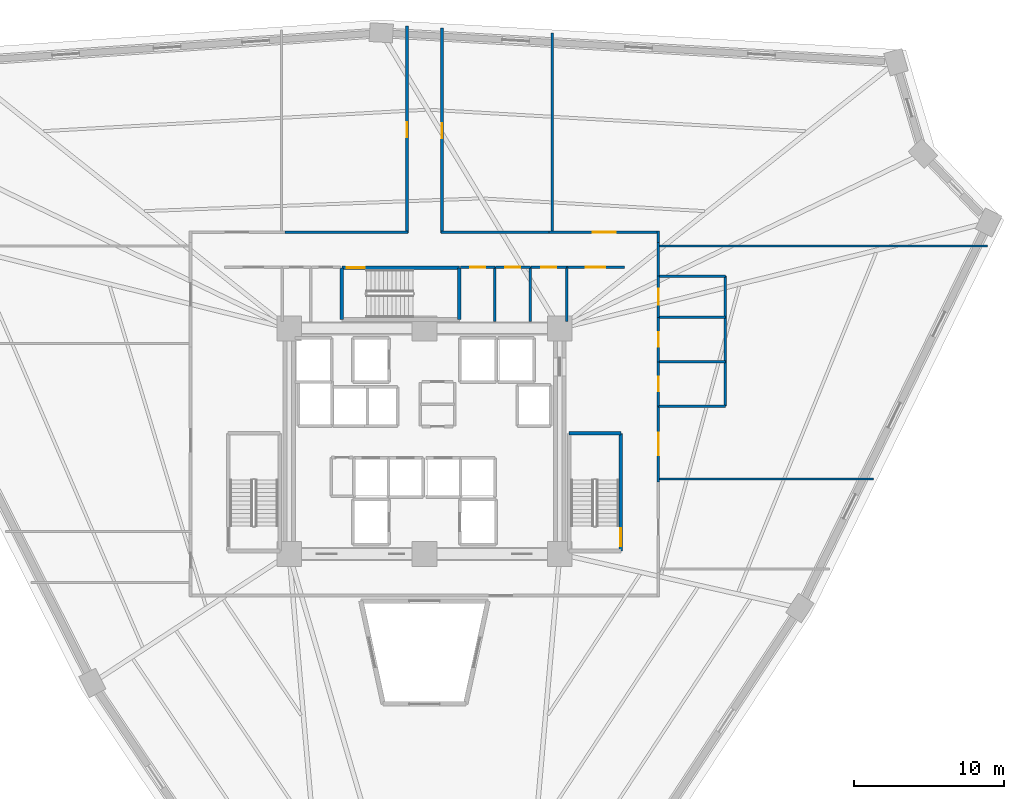
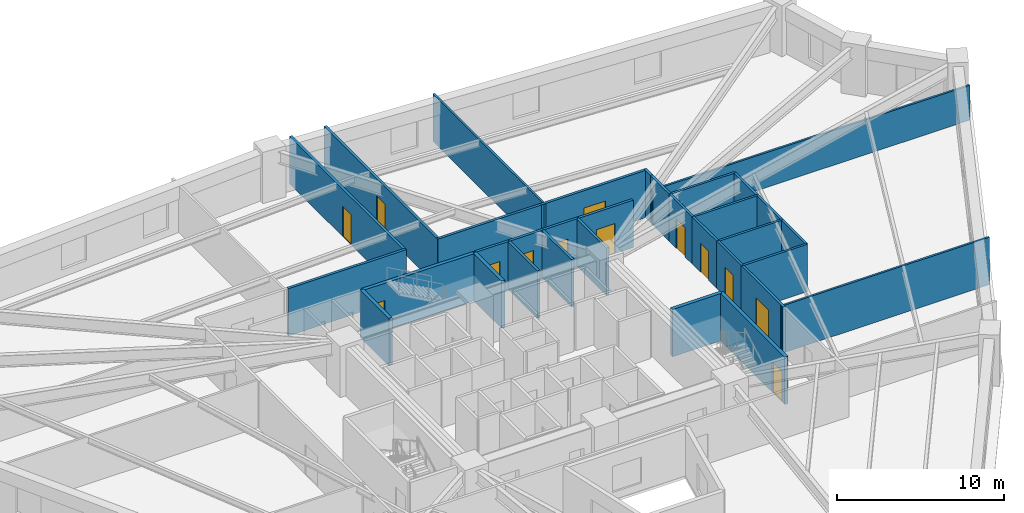
# One storey, part 6 of 8: 31 walls, 13 doors, 13 openings.
"""IFC4 building model written with IfcOpenShell, lengths in metres."""

from ifc_helpers import new_model, si_unit, direction, frame, frame_2d, origin, place, context, subcontext, project, spatial, rectangle, extrude, source, transform, mapped, material, layer, layer_set, type_object, element, fill, save


model = new_model("IFC4")

# Units and contexts
model_context = context("Model", 3, precision=1e-05, world=origin(), true_north=direction((0.0, 1.0)))
body_context = subcontext(model_context, "Body", "Model", "MODEL_VIEW")
ifc_project = project(units=[si_unit("LENGTHUNIT", "METRE"), si_unit("AREAUNIT", "SQUARE_METRE"), si_unit("VOLUMEUNIT", "CUBIC_METRE"), si_unit("PLANEANGLEUNIT", "RADIAN"), si_unit("MASSUNIT", "GRAM", prefix="KILO")], contexts=[model_context])

# Site, building, storey
site_placement = place(None, origin())
site = spatial("IfcSite", under=ifc_project, at=site_placement, CompositionType="ELEMENT")
building_placement = place(site_placement, origin())
building = spatial("IfcBuilding", under=site, at=building_placement, Name="Liaohun Quay Tower", CompositionType="ELEMENT")
storey_placement = place(building_placement, frame((0.0, 0.0, 89.25)))
storey = spatial("IfcBuildingStorey", under=building, at=storey_placement, Name="L23", CompositionType="ELEMENT", Elevation=89.25)

# Wall, opening, door
ifc_material_1 = material(Name="Autoclaved aerated concrete blockwork", Category="masonry")
ifc_layer_1 = layer(ifc_material_1, 0.179931640625, Name="Autoclaved aerated concrete blockwork", Category="masonry")
ifc_layer_set_1 = layer_set([ifc_layer_1], Name="Autoclaved aerated concrete blockwork")
wall_type_1 = type_object("IfcWallType", Name="WAL-PRT-COR", PredefinedType="PARTITIONING", material=ifc_layer_set_1)
wall_1_placement = place(storey_placement, frame((62.389892578125, 65.580078125, 0.0), z_axis=(0.0, 0.0, 1.0), x_axis=(1.0, 0.0, 0.0)))
wall_1 = element("IfcWall", 1, at=wall_1_placement, inside=storey, type_object=wall_type_1, Name="L23 Interior Partition Wall 009", PredefinedType="PARTITIONING", context=body_context, shape_type="SweptSolid", body=[
    extrude(rectangle(XDim=2.2900390625, YDim=0.179931640625, at=frame_2d((1.14501953125, 0.0))), origin(), (0.0, 0.0, 1.0), 3.469970703125),
])
shared_shape_1 = source(origin(), body_context, "Body", "SweptSolid", [
    extrude(rectangle(XDim=1.0, YDim=2.199951171875, at=frame_2d((0.5, 1.10009765625))), frame((0.0, 0.099853515625, 0.0), z_axis=(0.0, -1.0, 0.0), x_axis=(1.0, 0.0, 0.0)), (0.0, 0.0, 1.0), 0.199951171875),
])
opening_1_placement = place(wall_1_placement, frame((0.64501953125, 0.0, 0.0)))
opening_1 = element("IfcOpeningElement", 2, at=opening_1_placement, cuts=wall_1, Name="Opening OD1", PredefinedType="OPENING", context=body_context, shape_type="MappedRepresentation", body=[
    mapped(shared_shape_1, transform((0.0, 0.0, 0.0), x_axis=(1.0, 0.0, 0.0), y_axis=(0.0, 1.0, 0.0), z_axis=(0.0, 0.0, 1.0), scale=1.0)),
])
ifc_material_2 = material(Name="Solid-core oak veneer timber leaf in steel frame", Category="steel")
door_type_1 = type_object("IfcDoorType", Name="DOR-OFF-1000", OperationType="NOTDEFINED", PredefinedType="DOOR", material=ifc_material_2)
shared_shape_2 = source(origin(), body_context, "Body", "SweptSolid", [
    extrude(rectangle(XDim=1.0, YDim=2.199951171875, at=frame_2d((0.5, 1.10009765625))), frame((0.0, 0.02490234375, 0.0), z_axis=(0.0, -1.0, 0.0), x_axis=(1.0, 0.0, 0.0)), (0.0, 0.0, 1.0), 0.050048828125),
])
door_1_placement = place(opening_1_placement, origin())
door_1 = element("IfcDoor", 3, at=door_1_placement, inside=storey, type_object=door_type_1, Name="L23 North-East Mail Store Door", OperationType="SINGLE_SWING_RIGHT", OverallHeight=2.199951171875, OverallWidth=1.0, PredefinedType="DOOR", context=body_context, shape_type="MappedRepresentation", body=[
    mapped(shared_shape_2, transform((0.0, 0.0, 0.0), x_axis=(1.0, 0.0, 0.0), y_axis=(0.0, 1.0, 0.0), z_axis=(0.0, 0.0, 1.0), scale=1.0)),
])
fill(opening_1, door_1)

wall_2_placement = place(storey_placement, frame((64.719970703125, 65.580078125, 0.0), z_axis=(0.0, 0.0, 1.0), x_axis=(1.0, 0.0, 0.0)))
wall_2 = element("IfcWall", 4, at=wall_2_placement, inside=storey, type_object=wall_type_1, Name="L23 Interior Partition Wall 010", PredefinedType="PARTITIONING", context=body_context, shape_type="SweptSolid", body=[
    extrude(rectangle(XDim=2.320068359375, YDim=0.179931640625, at=frame_2d((1.16015625, 0.0))), origin(), (0.0, 0.0, 1.0), 3.469970703125),
])
opening_2_placement = place(wall_2_placement, frame((0.659912109375, 0.0, 0.0)))
opening_2 = element("IfcOpeningElement", 5, at=opening_2_placement, cuts=wall_2, Name="Opening OD1", PredefinedType="OPENING", context=body_context, shape_type="MappedRepresentation", body=[
    mapped(shared_shape_1, transform((0.0, 0.0, 0.0), x_axis=(1.0, 0.0, 0.0), y_axis=(0.0, 1.0, 0.0), z_axis=(0.0, 0.0, 1.0), scale=1.0)),
])
door_2_placement = place(opening_2_placement, origin())
door_2 = element("IfcDoor", 6, at=door_2_placement, inside=storey, type_object=door_type_1, Name="L23 North-East Comms Room Door", OperationType="SINGLE_SWING_LEFT", OverallHeight=2.199951171875, OverallWidth=1.0, PredefinedType="DOOR", context=body_context, shape_type="MappedRepresentation", body=[
    mapped(shared_shape_2, transform((0.0, 0.0, 0.0), x_axis=(1.0, 0.0, 0.0), y_axis=(0.0, 1.0, 0.0), z_axis=(0.0, 0.0, 1.0), scale=1.0)),
])
fill(opening_2, door_2)

wall_3_placement = place(storey_placement, frame((67.080078125, 65.580078125, 0.0), z_axis=(0.0, 0.0, 1.0), x_axis=(1.0, 0.0, 0.0)))
wall_3 = element("IfcWall", 7, at=wall_3_placement, inside=storey, type_object=wall_type_1, Name="L23 Interior Partition Wall 011", PredefinedType="PARTITIONING", context=body_context, shape_type="SweptSolid", body=[
    extrude(rectangle(XDim=2.3798828125, YDim=0.179931640625, at=frame_2d((1.18994140625, 0.0))), origin(), (0.0, 0.0, 1.0), 3.469970703125),
])
opening_3_placement = place(wall_3_placement, frame((0.68994140625, 0.0, 0.0)))
opening_3 = element("IfcOpeningElement", 8, at=opening_3_placement, cuts=wall_3, Name="Opening OD1", PredefinedType="OPENING", context=body_context, shape_type="MappedRepresentation", body=[
    mapped(shared_shape_1, transform((0.0, 0.0, 0.0), x_axis=(1.0, 0.0, 0.0), y_axis=(0.0, 1.0, 0.0), z_axis=(0.0, 0.0, 1.0), scale=1.0)),
])
door_3_placement = place(opening_3_placement, origin())
door_3 = element("IfcDoor", 9, at=door_3_placement, inside=storey, type_object=door_type_1, Name="L23 North-East Cleaner Store Door", OperationType="SINGLE_SWING_RIGHT", OverallHeight=2.199951171875, OverallWidth=1.0, PredefinedType="DOOR", context=body_context, shape_type="MappedRepresentation", body=[
    mapped(shared_shape_2, transform((0.0, 0.0, 0.0), x_axis=(1.0, 0.0, 0.0), y_axis=(0.0, 1.0, 0.0), z_axis=(0.0, 0.0, 1.0), scale=1.0)),
])
fill(opening_3, door_3)

wall_4_placement = place(storey_placement, frame((69.4599609375, 65.580078125, 0.0), z_axis=(0.0, 0.0, 1.0), x_axis=(1.0, 0.0, 0.0)))
wall_4 = element("IfcWall", 10, at=wall_4_placement, inside=storey, type_object=wall_type_1, Name="L23 Interior Partition Wall 013", PredefinedType="PARTITIONING", context=body_context, shape_type="SweptSolid", body=[
    extrude(rectangle(XDim=3.840087890625, YDim=0.179931640625, at=frame_2d((1.919921875, 0.0))), origin(), (0.0, 0.0, 1.0), 3.469970703125),
])
shared_shape_3 = source(origin(), body_context, "Body", "SweptSolid", [
    extrude(rectangle(XDim=1.300048828125, YDim=2.199951171875, at=frame_2d((0.64990234375, 1.10009765625))), frame((0.0, 0.099853515625, 0.0), z_axis=(0.0, -1.0, 0.0), x_axis=(1.0, 0.0, 0.0)), (0.0, 0.0, 1.0), 0.199951171875),
])
opening_4_placement = place(wall_4_placement, frame((1.27001953125, 0.0, 0.0)))
opening_4 = element("IfcOpeningElement", 11, at=opening_4_placement, cuts=wall_4, Name="Opening FD1", PredefinedType="OPENING", context=body_context, shape_type="MappedRepresentation", body=[
    mapped(shared_shape_3, transform((0.0, 0.0, 0.0), x_axis=(1.0, 0.0, 0.0), y_axis=(0.0, 1.0, 0.0), z_axis=(0.0, 0.0, 1.0), scale=1.0)),
])
ifc_material_3 = material(Name="Galvanised steel smokeproof fire door", Category="steel")
door_type_2 = type_object("IfcDoorType", Name="DOR-FFL-1300", OperationType="NOTDEFINED", PredefinedType="DOOR", material=ifc_material_3)
shared_shape_4 = source(origin(), body_context, "Body", "SweptSolid", [
    extrude(rectangle(XDim=1.300048828125, YDim=2.199951171875, at=frame_2d((0.64990234375, 1.10009765625))), frame((0.0, 0.02490234375, 0.0), z_axis=(0.0, -1.0, 0.0), x_axis=(1.0, 0.0, 0.0)), (0.0, 0.0, 1.0), 0.050048828125),
])
door_4_placement = place(opening_4_placement, origin())
door_4 = element("IfcDoor", 12, at=door_4_placement, inside=storey, type_object=door_type_2, Name="L23 East Core Vestibule Door", OperationType="SINGLE_SWING_RIGHT", OverallHeight=2.199951171875, OverallWidth=1.300048828125, PredefinedType="DOOR", context=body_context, shape_type="MappedRepresentation", body=[
    mapped(shared_shape_4, transform((0.0, 0.0, 0.0), x_axis=(1.0, 0.0, 0.0), y_axis=(0.0, 1.0, 0.0), z_axis=(0.0, 0.0, 1.0), scale=1.0)),
])
fill(opening_4, door_4)

wall_5_placement = place(storey_placement, frame((75.56005859375, 56.340087890625, 0.0), z_axis=(0.0, 0.0, 1.0), x_axis=(0.0, -1.0, 0.0)))
wall_5 = element("IfcWall", 13, at=wall_5_placement, inside=storey, type_object=wall_type_1, Name="L23 Interior Partition Wall 014", PredefinedType="PARTITIONING", context=body_context, shape_type="SweptSolid", body=[
    extrude(rectangle(XDim=5.05517578125, YDim=0.179931640625, at=frame_2d((2.527587890625, 0.0))), origin(), (0.0, 0.0, 1.0), 3.469970703125),
])
shared_shape_5 = source(origin(), body_context, "Body", "SweptSolid", [
    extrude(rectangle(XDim=1.5, YDim=2.199951171875, at=frame_2d((0.75, 1.10009765625))), frame((0.0, 0.099853515625, 0.0), z_axis=(0.0, -1.0, 0.0), x_axis=(1.0, 0.0, 0.0)), (0.0, 0.0, 1.0), 0.199951171875),
])
opening_5_placement = place(wall_5_placement, frame((1.778076171875, 0.0, 0.0)))
opening_5 = element("IfcOpeningElement", 14, at=opening_5_placement, cuts=wall_5, Name="Opening OD2", PredefinedType="OPENING", context=body_context, shape_type="MappedRepresentation", body=[
    mapped(shared_shape_5, transform((0.0, 0.0, 0.0), x_axis=(1.0, 0.0, 0.0), y_axis=(0.0, 1.0, 0.0), z_axis=(0.0, 0.0, 1.0), scale=1.0)),
])
ifc_material_4 = material(Name="Acoustic oak veneer double door")
door_type_3 = type_object("IfcDoorType", Name="DOR-OFF-1500", OperationType="DOUBLE_DOOR_SINGLE_SWING", PredefinedType="DOOR", material=ifc_material_4)
shared_shape_6 = source(origin(), body_context, "Body", "SweptSolid", [
    extrude(rectangle(XDim=1.5, YDim=2.199951171875, at=frame_2d((0.75, 1.10009765625))), frame((0.0, 0.02490234375, 0.0), z_axis=(0.0, -1.0, 0.0), x_axis=(1.0, 0.0, 0.0)), (0.0, 0.0, 1.0), 0.050048828125),
])
door_5_placement = place(opening_5_placement, origin())
door_5 = element("IfcDoor", 15, at=door_5_placement, inside=storey, type_object=door_type_3, Name="L23 Architectural Design Studio 01 Door", OperationType="DOUBLE_DOOR_SINGLE_SWING", OverallHeight=2.199951171875, OverallWidth=1.5, PredefinedType="DOOR", context=body_context, shape_type="MappedRepresentation", body=[
    mapped(shared_shape_6, transform((0.0, 0.0, 0.0), x_axis=(1.0, 0.0, 0.0), y_axis=(0.0, 1.0, 0.0), z_axis=(0.0, 0.0, 1.0), scale=1.0)),
])
fill(opening_5, door_5)

wall_6_placement = place(storey_placement, frame((68.284912109375, 67.909912109375, 0.0), z_axis=(0.0, 0.0, 1.0), x_axis=(1.0, 0.0, 0.0)))
wall_6 = element("IfcWall", 16, at=wall_6_placement, inside=storey, type_object=wall_type_1, Name="L23 Interior Partition Wall 015", PredefinedType="PARTITIONING", context=body_context, shape_type="SweptSolid", body=[
    extrude(rectangle(XDim=7.344970703125, YDim=0.179931640625, at=frame_2d((3.67236328125, 0.0))), origin(), (0.0, 0.0, 1.0), 3.469970703125),
])
opening_6_placement = place(wall_6_placement, frame((2.922119140625, 0.0, 0.0)))
opening_6 = element("IfcOpeningElement", 17, at=opening_6_placement, cuts=wall_6, Name="Opening OD2", PredefinedType="OPENING", context=body_context, shape_type="MappedRepresentation", body=[
    mapped(shared_shape_5, transform((0.0, 0.0, 0.0), x_axis=(1.0, 0.0, 0.0), y_axis=(0.0, 1.0, 0.0), z_axis=(0.0, 0.0, 1.0), scale=1.0)),
])
door_6_placement = place(opening_6_placement, origin())
door_6 = element("IfcDoor", 18, at=door_6_placement, inside=storey, type_object=door_type_3, Name="L23 Client Collaboration Lounge 02 Door", OperationType="DOUBLE_DOOR_SINGLE_SWING", OverallHeight=2.199951171875, OverallWidth=1.5, PredefinedType="DOOR", context=body_context, shape_type="MappedRepresentation", body=[
    mapped(shared_shape_6, transform((0.0, 0.0, 0.0), x_axis=(1.0, 0.0, 0.0), y_axis=(0.0, 1.0, 0.0), z_axis=(0.0, 0.0, 1.0), scale=1.0)),
])
fill(opening_6, door_6)

wall_7_placement = place(storey_placement, frame((61.159912109375, 81.47900390625, 0.0), z_axis=(0.0, 0.0, 1.0), x_axis=(0.0, -1.0, 0.0)))
wall_7 = element("IfcWall", 19, at=wall_7_placement, inside=storey, type_object=wall_type_1, Name="L23 Interior Partition Wall 016", PredefinedType="PARTITIONING", context=body_context, shape_type="SweptSolid", body=[
    extrude(rectangle(XDim=13.638916015625, YDim=0.179931640625, at=frame_2d((6.8193359375, 0.0))), origin(), (0.0, 0.0, 1.0), 3.469970703125),
])
opening_7_placement = place(wall_7_placement, frame((6.319091796875, 0.0, 0.0)))
opening_7 = element("IfcOpeningElement", 20, at=opening_7_placement, cuts=wall_7, Name="Opening OD1", PredefinedType="OPENING", context=body_context, shape_type="MappedRepresentation", body=[
    mapped(shared_shape_1, transform((0.0, 0.0, 0.0), x_axis=(1.0, 0.0, 0.0), y_axis=(0.0, 1.0, 0.0), z_axis=(0.0, 0.0, 1.0), scale=1.0)),
])
door_7_placement = place(opening_7_placement, origin())
door_7 = element("IfcDoor", 21, at=door_7_placement, inside=storey, type_object=door_type_1, Name="L23 Architectural Design Studio 03 Door", OperationType="SINGLE_SWING_LEFT", OverallHeight=2.199951171875, OverallWidth=1.0, PredefinedType="DOOR", context=body_context, shape_type="MappedRepresentation", body=[
    mapped(shared_shape_2, transform((0.0, 0.0, 0.0), x_axis=(1.0, 0.0, 0.0), y_axis=(0.0, 1.0, 0.0), z_axis=(0.0, 0.0, 1.0), scale=1.0)),
])
fill(opening_7, door_7)

wall_8_placement = place(storey_placement, frame((58.840087890625, 67.840087890625, 0.0), z_axis=(0.0, 0.0, 1.0), x_axis=(0.0, 1.0, 0.0)))
wall_8 = element("IfcWall", 22, at=wall_8_placement, inside=storey, type_object=wall_type_1, Name="L23 Interior Partition Wall 017", PredefinedType="PARTITIONING", context=body_context, shape_type="SweptSolid", body=[
    extrude(rectangle(XDim=13.77099609375, YDim=0.179931640625, at=frame_2d((6.885498046875, 0.0))), origin(), (0.0, 0.0, 1.0), 3.469970703125),
])
opening_8_placement = place(wall_8_placement, frame((6.385986328125, 0.0, 0.0)))
opening_8 = element("IfcOpeningElement", 23, at=opening_8_placement, cuts=wall_8, Name="Opening OD1", PredefinedType="OPENING", context=body_context, shape_type="MappedRepresentation", body=[
    mapped(shared_shape_1, transform((0.0, 0.0, 0.0), x_axis=(1.0, 0.0, 0.0), y_axis=(0.0, 1.0, 0.0), z_axis=(0.0, 0.0, 1.0), scale=1.0)),
])
door_8_placement = place(opening_8_placement, origin())
door_8 = element("IfcDoor", 24, at=door_8_placement, inside=storey, type_object=door_type_1, Name="L23 Project Collaboration Studio 04 Door", OperationType="SINGLE_SWING_RIGHT", OverallHeight=2.199951171875, OverallWidth=1.0, PredefinedType="DOOR", context=body_context, shape_type="MappedRepresentation", body=[
    mapped(shared_shape_2, transform((0.0, 0.0, 0.0), x_axis=(1.0, 0.0, 0.0), y_axis=(0.0, 1.0, 0.0), z_axis=(0.0, 0.0, 1.0), scale=1.0)),
])
fill(opening_8, door_8)

# Walls
for number, where, z_axis, x_axis, name in (
    (25, (64.679931640625, 61.949951171875, 0.0), (0.0, 0.0, 1.0), (0.0, 1.0, 0.0), "L23 Interior Partition Wall 036"),
    (26, (67.0400390625, 61.949951171875, 0.0), (0.0, 0.0, 1.0), (0.0, 1.0, 0.0), "L23 Interior Partition Wall 037"),
    (27, (69.4599609375, 61.949951171875, 0.0), (0.0, 0.0, 1.0), (0.0, 1.0, 0.0), "L23 Interior Partition Wall 038"),
):
    element("IfcWall", number, at=place(storey_placement, frame(where, z_axis=z_axis, x_axis=x_axis)), inside=storey, type_object=wall_type_1, Name=name, PredefinedType="PARTITIONING", context=body_context, shape_type="SweptSolid", body=[
        extrude(rectangle(XDim=3.630126953125, YDim=0.179931640625, at=frame_2d((1.81494140625, 0.0))), origin(), (0.0, 0.0, 1.0), 3.469970703125),
    ])
wall_9_placement = place(storey_placement, frame((75.56005859375, 67.215087890625, 0.0), z_axis=(0.0, 0.0, 1.0), x_axis=(0.0, -1.0, 0.0)))
element("IfcWall", 28, at=wall_9_placement, inside=storey, type_object=wall_type_1, Name="L23 Interior Partition Wall 039", PredefinedType="PARTITIONING", context=body_context, shape_type="SweptSolid", body=[
    extrude(rectangle(XDim=2.235107421875, YDim=0.179931640625, at=frame_2d((1.11767578125, 0.0))), origin(), (0.0, 0.0, 1.0), 3.469970703125),
])
wall_10_placement = place(storey_placement, frame((75.56005859375, 67.97998046875, 0.0), z_axis=(0.0, 0.0, 1.0), x_axis=(0.0, -1.0, 0.0)))
element("IfcWall", 29, at=wall_10_placement, inside=storey, type_object=wall_type_1, Name="L23 Interior Partition Wall 040", PredefinedType="PARTITIONING", context=body_context, shape_type="SweptSolid", body=[
    extrude(rectangle(XDim=0.764892578125, YDim=0.179931640625, at=frame_2d((0.38232421875, 0.0))), origin(), (0.0, 0.0, 1.0), 3.469970703125),
])
wall_11_placement = place(storey_placement, frame((61.090087890625, 67.909912109375, 0.0), z_axis=(0.0, 0.0, 1.0), x_axis=(1.0, 0.0, 0.0)))
element("IfcWall", 30, at=wall_11_placement, inside=storey, type_object=wall_type_1, Name="L23 Interior Partition Wall 041", PredefinedType="PARTITIONING", context=body_context, shape_type="SweptSolid", body=[
    extrude(rectangle(XDim=7.19482421875, YDim=0.179931640625, at=frame_2d((3.597412109375, 0.0))), origin(), (0.0, 0.0, 1.0), 3.469970703125),
])
wall_12_placement = place(storey_placement, frame((50.715087890625, 67.909912109375, 0.0), z_axis=(0.0, 0.0, 1.0), x_axis=(1.0, 0.0, 0.0)))
element("IfcWall", 31, at=wall_12_placement, inside=storey, type_object=wall_type_1, Name="L23 Interior Partition Wall 042", PredefinedType="PARTITIONING", context=body_context, shape_type="SweptSolid", body=[
    extrude(rectangle(XDim=8.19482421875, YDim=0.179931640625, at=frame_2d((4.097412109375, 0.0))), origin(), (0.0, 0.0, 1.0), 3.469970703125),
])
ifc_material_5 = material(Name="Gypsum board on twin steel studs", Category="steel")
ifc_layer_2 = layer(ifc_material_5, 0.139892578125, Name="Gypsum board on twin steel studs", Category="steel")
ifc_layer_set_2 = layer_set([ifc_layer_2], Name="Gypsum board on twin steel studs")
wall_type_2 = type_object("IfcWallType", Name="WAL-PRT-OFF", PredefinedType="PARTITIONING", material=ifc_layer_set_2)
wall_13_placement = place(storey_placement, frame((75.4599609375, 51.5, 0.0), z_axis=(0.0, 0.0, 1.0), x_axis=(1.0, 0.0, 0.0)))
element("IfcWall", 32, at=wall_13_placement, inside=storey, type_object=wall_type_2, Name="L23 Interior Partition Wall 051", PredefinedType="PARTITIONING", context=body_context, shape_type="SweptSolid", body=[
    extrude(rectangle(XDim=14.4169921875, YDim=0.139892578125, at=frame_2d((7.20849609375, 0.0))), origin(), (0.0, 0.0, 1.0), 3.469970703125),
])
wall_14_placement = place(storey_placement, frame((75.4599609375, 67.0, 0.0), z_axis=(0.0, 0.0, 1.0), x_axis=(1.0, 0.0, 0.0)))
element("IfcWall", 33, at=wall_14_placement, inside=storey, type_object=wall_type_2, Name="L23 Interior Partition Wall 052", PredefinedType="PARTITIONING", context=body_context, shape_type="SweptSolid", body=[
    extrude(rectangle(XDim=22.008056640625, YDim=0.139892578125, at=frame_2d((11.00390625, 0.0))), origin(), (0.0, 0.0, 1.0), 2.554931640625),
])
wall_15_placement = place(storey_placement, frame((68.5, 67.81005859375, 0.0), z_axis=(0.0, 0.0, 1.0), x_axis=(0.0, 1.0, 0.0)))
element("IfcWall", 34, at=wall_15_placement, inside=storey, type_object=wall_type_2, Name="L23 Interior Partition Wall 054", PredefinedType="PARTITIONING", context=body_context, shape_type="SweptSolid", body=[
    extrude(rectangle(XDim=13.3408203125, YDim=0.139892578125, at=frame_2d((6.67041015625, 0.0))), origin(), (0.0, 0.0, 1.0), 3.469970703125),
])

# Wall, opening, door
ifc_material_6 = material(Name="Moisture-resistant masonry blockwork", Category="masonry")
ifc_layer_3 = layer(ifc_material_6, 0.159912109375, Name="Moisture-resistant masonry blockwork", Category="masonry")
ifc_layer_set_3 = layer_set([ifc_layer_3], Name="Moisture-resistant masonry blockwork")
wall_type_3 = type_object("IfcWallType", Name="WAL-PRT-WET", PredefinedType="PARTITIONING", material=ifc_layer_set_3)
wall_16_placement = place(storey_placement, frame((75.56005859375, 56.340087890625, 0.0), z_axis=(0.0, 0.0, 1.0), x_axis=(0.0, 1.0, 0.0)))
wall_16 = element("IfcWall", 35, at=wall_16_placement, inside=storey, type_object=wall_type_3, Name="L23 Interior Partition Wall 004", PredefinedType="PARTITIONING", context=body_context, shape_type="SweptSolid", body=[
    extrude(rectangle(XDim=2.93994140625, YDim=0.159912109375, at=frame_2d((1.469970703125, 0.0))), origin(), (0.0, 0.0, 1.0), 3.469970703125),
])
shared_shape_7 = source(origin(), body_context, "Body", "SweptSolid", [
    extrude(rectangle(XDim=0.949951171875, YDim=2.14990234375, at=frame_2d((0.47509765625, 1.074951171875))), frame((0.0, 0.08984375, 0.0), z_axis=(0.0, -1.0, 0.0), x_axis=(1.0, 0.0, 0.0)), (0.0, 0.0, 1.0), 0.179931640625),
])
opening_9_placement = place(wall_16_placement, frame((0.9951171875, 0.0, 0.0)))
opening_9 = element("IfcOpeningElement", 36, at=opening_9_placement, cuts=wall_16, Name="Opening WD1", PredefinedType="OPENING", context=body_context, shape_type="MappedRepresentation", body=[
    mapped(shared_shape_7, transform((0.0, 0.0, 0.0), x_axis=(1.0, 0.0, 0.0), y_axis=(0.0, 1.0, 0.0), z_axis=(0.0, 0.0, 1.0), scale=1.0)),
])
ifc_material_7 = material(Name="Moisture-resistant laminate timber leaf", Category="wood")
door_type_4 = type_object("IfcDoorType", Name="DOR-WC-950", OperationType="NOTDEFINED", PredefinedType="DOOR", material=ifc_material_7)
shared_shape_8 = source(origin(), body_context, "Body", "SweptSolid", [
    extrude(rectangle(XDim=0.949951171875, YDim=2.14990234375, at=frame_2d((0.47509765625, 1.074951171875))), frame((0.0, 0.02490234375, 0.0), z_axis=(0.0, -1.0, 0.0), x_axis=(1.0, 0.0, 0.0)), (0.0, 0.0, 1.0), 0.050048828125),
])
door_9_placement = place(opening_9_placement, origin())
door_9 = element("IfcDoor", 37, at=door_9_placement, inside=storey, type_object=door_type_4, Name="L23 Male Restroom WC Door", OperationType="SINGLE_SWING_LEFT", OverallHeight=2.14990234375, OverallWidth=0.949951171875, PredefinedType="DOOR", context=body_context, shape_type="MappedRepresentation", body=[
    mapped(shared_shape_8, transform((0.0, 0.0, 0.0), x_axis=(1.0, 0.0, 0.0), y_axis=(0.0, 1.0, 0.0), z_axis=(0.0, 0.0, 1.0), scale=1.0)),
])
fill(opening_9, door_9)

wall_17_placement = place(storey_placement, frame((75.56005859375, 59.280029296875, 0.0), z_axis=(0.0, 0.0, 1.0), x_axis=(0.0, 1.0, 0.0)))
wall_17 = element("IfcWall", 38, at=wall_17_placement, inside=storey, type_object=wall_type_3, Name="L23 Interior Partition Wall 005", PredefinedType="PARTITIONING", context=body_context, shape_type="SweptSolid", body=[
    extrude(rectangle(XDim=2.9599609375, YDim=0.159912109375, at=frame_2d((1.47998046875, 0.0))), origin(), (0.0, 0.0, 1.0), 3.469970703125),
])
opening_10_placement = place(wall_17_placement, frame((1.0048828125, 0.0, 0.0)))
opening_10 = element("IfcOpeningElement", 39, at=opening_10_placement, cuts=wall_17, Name="Opening WD1", PredefinedType="OPENING", context=body_context, shape_type="MappedRepresentation", body=[
    mapped(shared_shape_7, transform((0.0, 0.0, 0.0), x_axis=(1.0, 0.0, 0.0), y_axis=(0.0, 1.0, 0.0), z_axis=(0.0, 0.0, 1.0), scale=1.0)),
])
door_10_placement = place(opening_10_placement, origin())
door_10 = element("IfcDoor", 40, at=door_10_placement, inside=storey, type_object=door_type_4, Name="L23 Female Restroom WC Door", OperationType="SINGLE_SWING_RIGHT", OverallHeight=2.14990234375, OverallWidth=0.949951171875, PredefinedType="DOOR", context=body_context, shape_type="MappedRepresentation", body=[
    mapped(shared_shape_8, transform((0.0, 0.0, 0.0), x_axis=(1.0, 0.0, 0.0), y_axis=(0.0, 1.0, 0.0), z_axis=(0.0, 0.0, 1.0), scale=1.0)),
])
fill(opening_10, door_10)

wall_18_placement = place(storey_placement, frame((75.56005859375, 62.239990234375, 0.0), z_axis=(0.0, 0.0, 1.0), x_axis=(0.0, 1.0, 0.0)))
wall_18 = element("IfcWall", 41, at=wall_18_placement, inside=storey, type_object=wall_type_3, Name="L23 Interior Partition Wall 006", PredefinedType="PARTITIONING", context=body_context, shape_type="SweptSolid", body=[
    extrude(rectangle(XDim=2.739990234375, YDim=0.159912109375, at=frame_2d((1.3701171875, 0.0))), origin(), (0.0, 0.0, 1.0), 3.469970703125),
])
shared_shape_9 = source(origin(), body_context, "Body", "SweptSolid", [
    extrude(rectangle(XDim=1.050048828125, YDim=2.14990234375, at=frame_2d((0.52490234375, 1.074951171875))), frame((0.0, 0.08984375, 0.0), z_axis=(0.0, -1.0, 0.0), x_axis=(1.0, 0.0, 0.0)), (0.0, 0.0, 1.0), 0.179931640625),
])
opening_11_placement = place(wall_18_placement, frame((0.844970703125, 0.0, 0.0)))
opening_11 = element("IfcOpeningElement", 42, at=opening_11_placement, cuts=wall_18, Name="Opening WD2", PredefinedType="OPENING", context=body_context, shape_type="MappedRepresentation", body=[
    mapped(shared_shape_9, transform((0.0, 0.0, 0.0), x_axis=(1.0, 0.0, 0.0), y_axis=(0.0, 1.0, 0.0), z_axis=(0.0, 0.0, 1.0), scale=1.0)),
])
ifc_material_8 = material(Name="Accessible outward-swinging laminate door")
door_type_5 = type_object("IfcDoorType", Name="DOR-AWC-1050", OperationType="NOTDEFINED", PredefinedType="DOOR", material=ifc_material_8)
shared_shape_10 = source(origin(), body_context, "Body", "SweptSolid", [
    extrude(rectangle(XDim=1.050048828125, YDim=2.14990234375, at=frame_2d((0.52490234375, 1.074951171875))), frame((0.0, 0.02490234375, 0.0), z_axis=(0.0, -1.0, 0.0), x_axis=(1.0, 0.0, 0.0)), (0.0, 0.0, 1.0), 0.050048828125),
])
door_11_placement = place(opening_11_placement, origin())
door_11 = element("IfcDoor", 43, at=door_11_placement, inside=storey, type_object=door_type_5, Name="L23 Accessible WC Door", OperationType="SINGLE_SWING_LEFT", OverallHeight=2.14990234375, OverallWidth=1.050048828125, PredefinedType="DOOR", context=body_context, shape_type="MappedRepresentation", body=[
    mapped(shared_shape_10, transform((0.0, 0.0, 0.0), x_axis=(1.0, 0.0, 0.0), y_axis=(0.0, 1.0, 0.0), z_axis=(0.0, 0.0, 1.0), scale=1.0)),
])
fill(opening_11, door_11)

# Walls
wall_19_placement = place(storey_placement, frame((80.02001953125, 56.340087890625, 0.0), z_axis=(0.0, 0.0, 1.0), x_axis=(0.0, 1.0, 0.0)))
element("IfcWall", 44, at=wall_19_placement, inside=storey, type_object=wall_type_3, Name="L23 Interior Partition Wall 029", PredefinedType="PARTITIONING", context=body_context, shape_type="SweptSolid", body=[
    extrude(rectangle(XDim=8.639892578125, YDim=0.159912109375, at=frame_2d((4.31982421875, 0.0))), origin(), (0.0, 0.0, 1.0), 3.469970703125),
])
for number, where, z_axis, x_axis, name in (
    (45, (75.56005859375, 56.340087890625, 0.0), (0.0, 0.0, 1.0), (1.0, 0.0, 0.0), "L23 Interior Partition Wall 030"),
    (46, (75.56005859375, 59.280029296875, 0.0), (0.0, 0.0, 1.0), (1.0, 0.0, 0.0), "L23 Interior Partition Wall 031"),
    (47, (75.56005859375, 62.239990234375, 0.0), (0.0, 0.0, 1.0), (1.0, 0.0, 0.0), "L23 Interior Partition Wall 032"),
    (48, (75.56005859375, 64.97998046875, 0.0), (0.0, 0.0, 1.0), (1.0, 0.0, 0.0), "L23 Interior Partition Wall 033"),
):
    element("IfcWall", number, at=place(storey_placement, frame(where, z_axis=z_axis, x_axis=x_axis)), inside=storey, type_object=wall_type_3, Name=name, PredefinedType="PARTITIONING", context=body_context, shape_type="SweptSolid", body=[
        extrude(rectangle(XDim=4.4599609375, YDim=0.159912109375, at=frame_2d((2.22998046875, 0.0))), origin(), (0.0, 0.0, 1.0), 3.469970703125),
    ])

# Wall, opening, door
ifc_material_9 = material(Name="Concrete C50", Category="concrete")
ifc_layer_4 = layer(ifc_material_9, 0.239990234375, Name="Concrete C50", Category="concrete")
ifc_layer_set_4 = layer_set([ifc_layer_4], Name="Concrete C50")
wall_type_4 = type_object("IfcWallType", Name="WAL-SHF-200", PredefinedType="SOLIDWALL", material=ifc_layer_set_4)
wall_20_placement = place(storey_placement, frame((73.06005859375, 46.699951171875, 0.0), z_axis=(0.0, 0.0, 1.0), x_axis=(0.0, 1.0, 0.0)))
wall_20 = element("IfcWall", 49, at=wall_20_placement, inside=storey, type_object=wall_type_4, Name="L23 Stairwell ST-2 Structural Core Wall E", PredefinedType="SOLIDWALL", context=body_context, shape_type="SweptSolid", body=[
    extrude(rectangle(XDim=7.820068359375, YDim=0.239990234375, at=frame_2d((3.91015625, 0.0))), origin(), (0.0, 0.0, 1.0), 3.469970703125),
])
shared_shape_11 = source(origin(), body_context, "Body", "SweptSolid", [
    extrude(rectangle(XDim=1.199951171875, YDim=2.199951171875, at=frame_2d((0.60009765625, 1.10009765625))), frame((0.0, 0.1298828125, 0.0), z_axis=(0.0, -1.0, 0.0), x_axis=(1.0, 0.0, 0.0)), (0.0, 0.0, 1.0), 0.260009765625),
])
opening_12_placement = place(wall_20_placement, frame((0.320068359375, 0.0, 0.0)))
opening_12 = element("IfcOpeningElement", 50, at=opening_12_placement, cuts=wall_20, Name="Opening SD1", PredefinedType="OPENING", context=body_context, shape_type="MappedRepresentation", body=[
    mapped(shared_shape_11, transform((0.0, 0.0, 0.0), x_axis=(1.0, 0.0, 0.0), y_axis=(0.0, 1.0, 0.0), z_axis=(0.0, 0.0, 1.0), scale=1.0)),
])
ifc_material_10 = material(Name="Galvanised steel fire door", Category="steel")
door_type_6 = type_object("IfcDoorType", Name="DOR-STR-1200", OperationType="NOTDEFINED", PredefinedType="DOOR", material=ifc_material_10)
shared_shape_12 = source(origin(), body_context, "Body", "SweptSolid", [
    extrude(rectangle(XDim=1.199951171875, YDim=2.199951171875, at=frame_2d((0.60009765625, 1.10009765625))), frame((0.0, 0.02490234375, 0.0), z_axis=(0.0, -1.0, 0.0), x_axis=(1.0, 0.0, 0.0)), (0.0, 0.0, 1.0), 0.050048828125),
])
door_12_placement = place(opening_12_placement, origin())
door_12 = element("IfcDoor", 51, at=door_12_placement, inside=storey, type_object=door_type_6, Name="L23 Protected Stair ST-2 Fire Door", OperationType="SINGLE_SWING_RIGHT", OverallHeight=2.199951171875, OverallWidth=1.199951171875, PredefinedType="DOOR", context=body_context, shape_type="MappedRepresentation", body=[
    mapped(shared_shape_12, transform((0.0, 0.0, 0.0), x_axis=(1.0, 0.0, 0.0), y_axis=(0.0, 1.0, 0.0), z_axis=(0.0, 0.0, 1.0), scale=1.0)),
])
fill(opening_12, door_12)

# Walls
for number, where, z_axis, x_axis, name in (
    (52, (73.06005859375, 54.52001953125, 0.0), (0.0, 0.0, 1.0), (-1.0, 0.0, 0.0), "L23 Stairwell ST-2 Structural Core Wall N"),
    (53, (62.320068359375, 62.10009765625, 0.0), (0.0, 0.0, 1.0), (0.0, 1.0, 0.0), "L23 Stairwell ST-3 Structural Core Wall E"),
):
    element("IfcWall", number, at=place(storey_placement, frame(where, z_axis=z_axis, x_axis=x_axis)), inside=storey, type_object=wall_type_4, Name=name, PredefinedType="SOLIDWALL", context=body_context, shape_type="SweptSolid", body=[
        extrude(rectangle(XDim=3.43994140625, YDim=0.239990234375, at=frame_2d((1.719970703125, 0.0))), origin(), (0.0, 0.0, 1.0), 3.469970703125),
    ])

# Wall, opening, door
wall_21_placement = place(storey_placement, frame((62.320068359375, 65.5400390625, 0.0), z_axis=(0.0, 0.0, 1.0), x_axis=(-1.0, 0.0, 0.0)))
wall_21 = element("IfcWall", 54, at=wall_21_placement, inside=storey, type_object=wall_type_4, Name="L23 Stairwell ST-3 Structural Core Wall N", PredefinedType="SOLIDWALL", context=body_context, shape_type="SweptSolid", body=[
    extrude(rectangle(XDim=7.820068359375, YDim=0.239990234375, at=frame_2d((3.91015625, 0.0))), origin(), (0.0, 0.0, 1.0), 3.469970703125),
])
opening_13_placement = place(wall_21_placement, frame((6.300048828125, 0.0, 0.0)))
opening_13 = element("IfcOpeningElement", 55, at=opening_13_placement, cuts=wall_21, Name="Opening SD1", PredefinedType="OPENING", context=body_context, shape_type="MappedRepresentation", body=[
    mapped(shared_shape_11, transform((0.0, 0.0, 0.0), x_axis=(1.0, 0.0, 0.0), y_axis=(0.0, 1.0, 0.0), z_axis=(0.0, 0.0, 1.0), scale=1.0)),
])
door_13_placement = place(opening_13_placement, origin())
door_13 = element("IfcDoor", 56, at=door_13_placement, inside=storey, type_object=door_type_6, Name="L23 Protected Stair ST-3 Fire Door", OperationType="SINGLE_SWING_RIGHT", OverallHeight=2.199951171875, OverallWidth=1.199951171875, PredefinedType="DOOR", context=body_context, shape_type="MappedRepresentation", body=[
    mapped(shared_shape_12, transform((0.0, 0.0, 0.0), x_axis=(1.0, 0.0, 0.0), y_axis=(0.0, 1.0, 0.0), z_axis=(0.0, 0.0, 1.0), scale=1.0)),
])
fill(opening_13, door_13)

# Wall
wall_22_placement = place(storey_placement, frame((54.5, 65.5400390625, 0.0), z_axis=(0.0, 0.0, 1.0), x_axis=(0.0, -1.0, 0.0)))
element("IfcWall", 57, at=wall_22_placement, inside=storey, type_object=wall_type_4, Name="L23 Stairwell ST-3 Structural Core Wall W", PredefinedType="SOLIDWALL", context=body_context, shape_type="SweptSolid", body=[
    extrude(rectangle(XDim=3.43994140625, YDim=0.239990234375, at=frame_2d((1.719970703125, 0.0))), origin(), (0.0, 0.0, 1.0), 3.469970703125),
])

save(model, "model.ifc")
